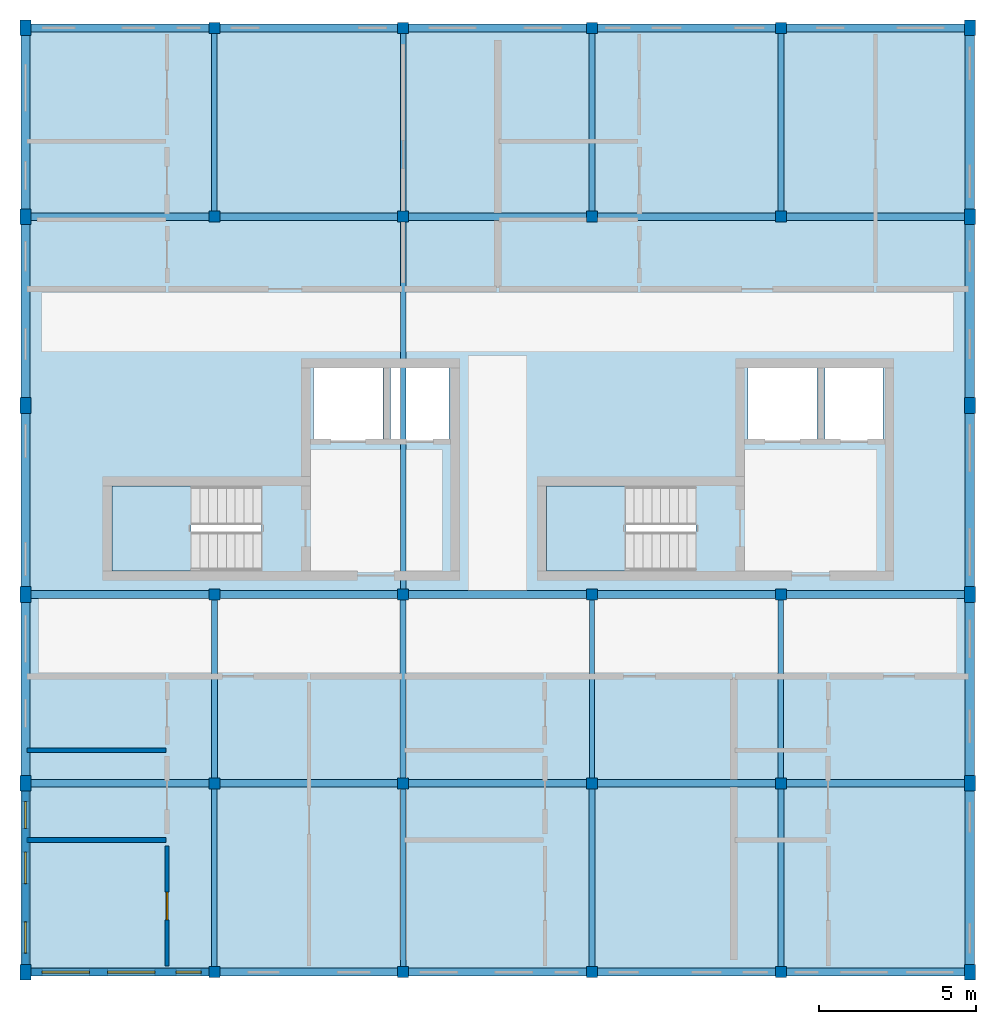
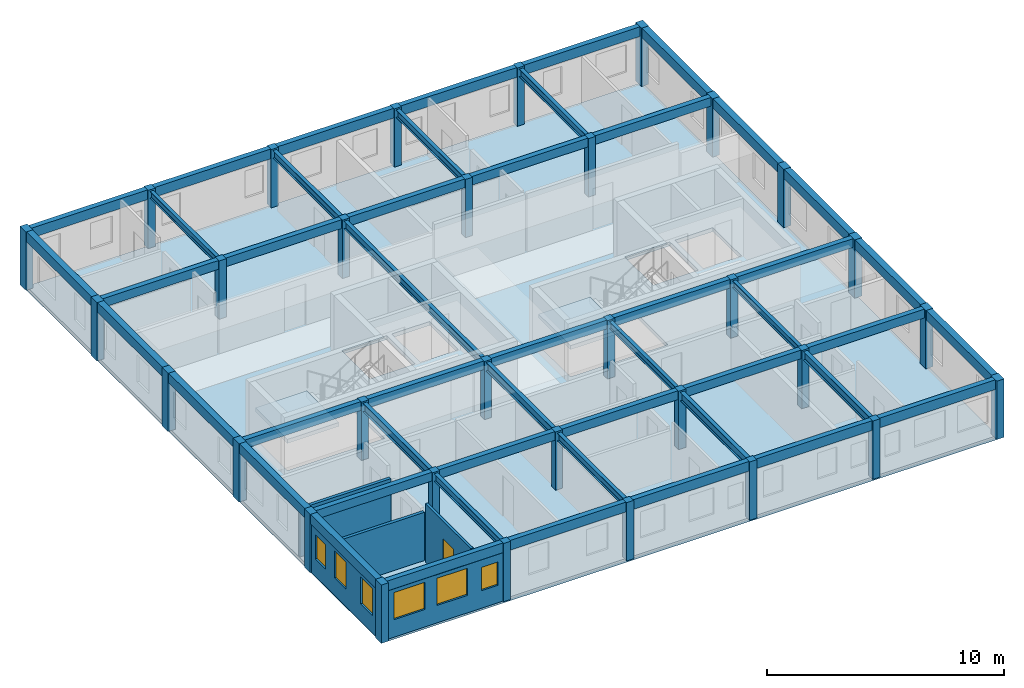
# One storey, part 1 of 7: 48 beams, 32 columns, 6 windows, 5 walls, 3 slabs, 1 door, 7 openings, 2 elements without a shape of their own.
"""IFC4 building model written with IfcOpenShell, lengths in metres."""

from ifc_helpers import new_model, si_unit, direction, frame, frame_2d, origin, origin_2d, place, context, subcontext, project, spatial, polyline, rectangle, i_section, outline, extrude, material, layer, layer_set, material_profile, profile_set, type_object, element, fill, aggregate, save


model = new_model("IFC4")

# Units and contexts
model_context = context("Model", 3, precision=1e-05, world=origin(), true_north=direction((0.0, 1.0)))
body_context = subcontext(model_context, "Body", "Model", "MODEL_VIEW")
ifc_project = project(units=[si_unit("LENGTHUNIT", "METRE"), si_unit("AREAUNIT", "SQUARE_METRE"), si_unit("VOLUMEUNIT", "CUBIC_METRE"), si_unit("PLANEANGLEUNIT", "RADIAN"), si_unit("MASSUNIT", "GRAM", prefix="KILO"), si_unit("POWERUNIT", "WATT"), si_unit("THERMODYNAMICTEMPERATUREUNIT", "KELVIN")], contexts=[model_context])

# Site, building, storey
site_placement = place(None, origin())
site = spatial("IfcSite", under=ifc_project, at=site_placement, CompositionType="ELEMENT")
building_placement = place(site_placement, origin())
building = spatial("IfcBuilding", under=site, at=building_placement, Name="Ruvembo Vaulted Housing Court", CompositionType="ELEMENT")
storey_placement = place(building_placement, frame((0.0, 0.0, 42.89990234375)))
storey = spatial("IfcBuildingStorey", under=building, at=storey_placement, Name="L13", CompositionType="ELEMENT", Elevation=42.89990234375)

# Columns
ifc_material_1 = material(Name="Concrete C35/45", Category="concrete")
ifc_material_profile_1 = material_profile(ifc_material_1, rectangle(XDim=0.35009765625, YDim=0.35009765625, at=origin_2d()), Name="RC 350x350")
ifc_profile_set_1 = profile_set([ifc_material_profile_1], Name="Concrete C35/45")
column_type_1 = type_object("IfcColumnType", Name="COL-RC-350", PredefinedType="COLUMN", material=ifc_profile_set_1)
for number, where, z_axis, x_axis, name in (
    (1, (6.0, 6.0, 0.0), (0.0, 0.0, 1.0), (1.0, 0.0, 0.0), "L13 Column (6,6)"),
    (2, (6.0, 12.0, 0.0), (0.0, 0.0, 1.0), (1.0, 0.0, 0.0), "L13 Column (6,12)"),
    (3, (6.0, 18.0, 0.0), (0.0, 0.0, 1.0), (1.0, 0.0, 0.0), "L13 Column (6,18)"),
    (4, (6.0, 30.0, 0.0), (0.0, 0.0, 1.0), (1.0, 0.0, 0.0), "L13 Column (6,30)"),
    (5, (6.0, 36.0, 0.0), (0.0, 0.0, 1.0), (1.0, 0.0, 0.0), "L13 Column (6,36)"),
    (6, (12.0, 6.0, 0.0), (0.0, 0.0, 1.0), (1.0, 0.0, 0.0), "L13 Column (12,6)"),
    (7, (12.0, 12.0, 0.0), (0.0, 0.0, 1.0), (1.0, 0.0, 0.0), "L13 Column (12,12)"),
    (8, (12.0, 18.0, 0.0), (0.0, 0.0, 1.0), (1.0, 0.0, 0.0), "L13 Column (12,18)"),
    (9, (12.0, 30.0, 0.0), (0.0, 0.0, 1.0), (1.0, 0.0, 0.0), "L13 Column (12,30)"),
    (10, (12.0, 36.0, 0.0), (0.0, 0.0, 1.0), (1.0, 0.0, 0.0), "L13 Column (12,36)"),
    (11, (18.0, 6.0, 0.0), (0.0, 0.0, 1.0), (1.0, 0.0, 0.0), "L13 Column (18,6)"),
    (12, (18.0, 12.0, 0.0), (0.0, 0.0, 1.0), (1.0, 0.0, 0.0), "L13 Column (18,12)"),
    (13, (18.0, 18.0, 0.0), (0.0, 0.0, 1.0), (1.0, 0.0, 0.0), "L13 Column (18,18)"),
    (14, (18.0, 30.0, 0.0), (0.0, 0.0, 1.0), (1.0, 0.0, 0.0), "L13 Column (18,30)"),
    (15, (18.0, 36.0, 0.0), (0.0, 0.0, 1.0), (1.0, 0.0, 0.0), "L13 Column (18,36)"),
    (16, (24.0, 6.0, 0.0), (0.0, 0.0, 1.0), (1.0, 0.0, 0.0), "L13 Column (24,6)"),
    (17, (24.0, 12.0, 0.0), (0.0, 0.0, 1.0), (1.0, 0.0, 0.0), "L13 Column (24,12)"),
    (18, (24.0, 18.0, 0.0), (0.0, 0.0, 1.0), (1.0, 0.0, 0.0), "L13 Column (24,18)"),
    (19, (24.0, 30.0, 0.0), (0.0, 0.0, 1.0), (1.0, 0.0, 0.0), "L13 Column (24,30)"),
    (20, (24.0, 36.0, 0.0), (0.0, 0.0, 1.0), (1.0, 0.0, 0.0), "L13 Column (24,36)"),
):
    element("IfcColumn", number, at=place(storey_placement, frame(where, z_axis=z_axis, x_axis=x_axis)), inside=storey, type_object=column_type_1, Name=name, PredefinedType="COLUMN", context=body_context, shape_type="SweptSolid", body=[
        extrude(rectangle(XDim=0.35009765625, YDim=0.35009765625, at=origin_2d()), origin(), (0.0, 0.0, 1.0), 3.005126953125),
    ])
ifc_material_profile_2 = material_profile(ifc_material_1, rectangle(XDim=0.35009765625, YDim=0.5, at=origin_2d()), Name="RC 350x500")
ifc_profile_set_2 = profile_set([ifc_material_profile_2], Name="Concrete C35/45")
column_type_2 = type_object("IfcColumnType", Name="COL-RC-350x500", PredefinedType="COLUMN", material=ifc_profile_set_2)
for number, where, z_axis, x_axis, name in (
    (21, (0.0, 6.0, 0.0), (0.0, 0.0, 1.0), (1.0, 0.0, 0.0), "L13 Column (0,6)"),
    (22, (0.0, 12.0, 0.0), (0.0, 0.0, 1.0), (1.0, 0.0, 0.0), "L13 Column (0,12)"),
    (23, (0.0, 18.0, 0.0), (0.0, 0.0, 1.0), (1.0, 0.0, 0.0), "L13 Column (0,18)"),
    (24, (0.0, 24.0, 0.0), (0.0, 0.0, 1.0), (1.0, 0.0, 0.0), "L13 Column (0,24)"),
    (25, (0.0, 30.0, 0.0), (0.0, 0.0, 1.0), (1.0, 0.0, 0.0), "L13 Column (0,30)"),
    (26, (0.0, 36.0, 0.0), (0.0, 0.0, 1.0), (1.0, 0.0, 0.0), "L13 Column (0,36)"),
    (27, (30.0, 6.0, 0.0), (0.0, 0.0, 1.0), (1.0, 0.0, 0.0), "L13 Column (30,6)"),
    (28, (30.0, 12.0, 0.0), (0.0, 0.0, 1.0), (1.0, 0.0, 0.0), "L13 Column (30,12)"),
    (29, (30.0, 18.0, 0.0), (0.0, 0.0, 1.0), (1.0, 0.0, 0.0), "L13 Column (30,18)"),
    (30, (30.0, 24.0, 0.0), (0.0, 0.0, 1.0), (1.0, 0.0, 0.0), "L13 Column (30,24)"),
    (31, (30.0, 30.0, 0.0), (0.0, 0.0, 1.0), (1.0, 0.0, 0.0), "L13 Column (30,30)"),
    (32, (30.0, 36.0, 0.0), (0.0, 0.0, 1.0), (1.0, 0.0, 0.0), "L13 Column (30,36)"),
):
    element("IfcColumn", number, at=place(storey_placement, frame(where, z_axis=z_axis, x_axis=x_axis)), inside=storey, type_object=column_type_2, Name=name, PredefinedType="COLUMN", context=body_context, shape_type="SweptSolid", body=[
        extrude(rectangle(XDim=0.35009765625, YDim=0.5, at=origin_2d()), origin(), (0.0, 0.0, 1.0), 3.005126953125),
    ])

# Beams
ifc_material_2 = material(Name="Concrete C30/37", Category="concrete")
ifc_material_profile_3 = material_profile(ifc_material_2, rectangle(XDim=0.25, YDim=0.449951171875, at=origin_2d()), Name="RC 250x450")
ifc_profile_set_3 = profile_set([ifc_material_profile_3], Name="Concrete C30/37")
beam_type_1 = type_object("IfcBeamType", Name="BM-RC-250x450", PredefinedType="BEAM", material=ifc_profile_set_3)
for number, where, z_axis, x_axis, name in (
    (33, (0.159912109375, 12.0, 2.780029296875), (1.0, 0.0, 0.0), (0.0, 1.0, 0.0), "L13 Grid Beam X #3438"),
    (34, (6.159912109375, 12.0, 2.780029296875), (1.0, 0.0, 0.0), (0.0, 1.0, 0.0), "L13 Grid Beam X #3439"),
    (35, (12.159912109375, 12.0, 2.780029296875), (1.0, 0.0, 0.0), (0.0, 1.0, 0.0), "L13 Grid Beam X #3440"),
    (36, (18.159912109375, 12.0, 2.780029296875), (1.0, 0.0, 0.0), (0.0, 1.0, 0.0), "L13 Grid Beam X #3441"),
    (37, (24.159912109375, 12.0, 2.780029296875), (1.0, 0.0, 0.0), (0.0, 1.0, 0.0), "L13 Grid Beam X #3442"),
    (38, (0.159912109375, 18.0, 2.780029296875), (1.0, 0.0, 0.0), (0.0, 1.0, 0.0), "L13 Grid Beam X #3443"),
    (39, (6.159912109375, 18.0, 2.780029296875), (1.0, 0.0, 0.0), (0.0, 1.0, 0.0), "L13 Grid Beam X #3444"),
    (40, (12.159912109375, 18.0, 2.780029296875), (1.0, 0.0, 0.0), (0.0, 1.0, 0.0), "L13 Grid Beam X #3445"),
    (41, (18.159912109375, 18.0, 2.780029296875), (1.0, 0.0, 0.0), (0.0, 1.0, 0.0), "L13 Grid Beam X #3446"),
    (42, (24.159912109375, 18.0, 2.780029296875), (1.0, 0.0, 0.0), (0.0, 1.0, 0.0), "L13 Grid Beam X #3447"),
    (43, (0.159912109375, 30.0, 2.780029296875), (1.0, 0.0, 0.0), (0.0, 1.0, 0.0), "L13 Grid Beam X #3448"),
    (44, (6.159912109375, 30.0, 2.780029296875), (1.0, 0.0, 0.0), (0.0, 1.0, 0.0), "L13 Grid Beam X #3449"),
    (45, (12.159912109375, 30.0, 2.780029296875), (1.0, 0.0, 0.0), (0.0, 1.0, 0.0), "L13 Grid Beam X #3450"),
    (46, (18.159912109375, 30.0, 2.780029296875), (1.0, 0.0, 0.0), (0.0, 1.0, 0.0), "L13 Grid Beam X #3451"),
    (47, (24.159912109375, 30.0, 2.780029296875), (1.0, 0.0, 0.0), (0.0, 1.0, 0.0), "L13 Grid Beam X #3452"),
):
    element("IfcBeam", number, at=place(storey_placement, frame(where, z_axis=z_axis, x_axis=x_axis)), inside=storey, type_object=beam_type_1, Name=name, PredefinedType="BEAM", context=body_context, shape_type="SweptSolid", body=[
        extrude(rectangle(XDim=0.25, YDim=0.449951171875, at=origin_2d()), origin(), (0.0, 0.0, 1.0), 5.68017578125),
    ])
ifc_material_profile_4 = material_profile(ifc_material_2, rectangle(XDim=0.25, YDim=0.5, at=origin_2d()), Name="RC 250x500")
ifc_profile_set_4 = profile_set([ifc_material_profile_4], Name="Concrete C30/37")
beam_type_2 = type_object("IfcBeamType", Name="BM-RC-250x500", PredefinedType="BEAM", material=ifc_profile_set_4)
for number, where, z_axis, x_axis, name in (
    (48, (0.159912109375, 6.0, 2.755126953125), (1.0, 0.0, 0.0), (0.0, 1.0, 0.0), "L13 Grid Beam X #3433"),
    (49, (6.159912109375, 6.0, 2.755126953125), (1.0, 0.0, 0.0), (0.0, 1.0, 0.0), "L13 Grid Beam X #3434"),
    (50, (12.159912109375, 6.0, 2.755126953125), (1.0, 0.0, 0.0), (0.0, 1.0, 0.0), "L13 Grid Beam X #3435"),
    (51, (18.159912109375, 6.0, 2.755126953125), (1.0, 0.0, 0.0), (0.0, 1.0, 0.0), "L13 Grid Beam X #3436"),
    (52, (24.159912109375, 6.0, 2.755126953125), (1.0, 0.0, 0.0), (0.0, 1.0, 0.0), "L13 Grid Beam X #3437"),
    (53, (0.159912109375, 36.0, 2.755126953125), (1.0, 0.0, 0.0), (0.0, 1.0, 0.0), "L13 Grid Beam X #3453"),
    (54, (6.159912109375, 36.0, 2.755126953125), (1.0, 0.0, 0.0), (0.0, 1.0, 0.0), "L13 Grid Beam X #3454"),
    (55, (12.159912109375, 36.0, 2.755126953125), (1.0, 0.0, 0.0), (0.0, 1.0, 0.0), "L13 Grid Beam X #3455"),
    (56, (18.159912109375, 36.0, 2.755126953125), (1.0, 0.0, 0.0), (0.0, 1.0, 0.0), "L13 Grid Beam X #3456"),
    (57, (24.159912109375, 36.0, 2.755126953125), (1.0, 0.0, 0.0), (0.0, 1.0, 0.0), "L13 Grid Beam X #3457"),
):
    element("IfcBeam", number, at=place(storey_placement, frame(where, z_axis=z_axis, x_axis=x_axis)), inside=storey, type_object=beam_type_2, Name=name, PredefinedType="BEAM", context=body_context, shape_type="SweptSolid", body=[
        extrude(rectangle(XDim=0.25, YDim=0.5, at=origin_2d()), origin(), (0.0, 0.0, 1.0), 5.68017578125),
    ])
ifc_material_3 = material(Name="Steel S355J2", Category="steel")
ifc_material_profile_5 = material_profile(ifc_material_3, i_section(OverallWidth=0.169921875, OverallDepth=0.360107421875, WebThickness=0.008056640625, FlangeThickness=0.0126953125, FilletRadius=0.01806640625, at=origin_2d()), Name="IPE 360")
ifc_profile_set_5 = profile_set([ifc_material_profile_5], Name="Steel S355J2")
beam_type_3 = type_object("IfcBeamType", Name="BM-ST-IPE360", PredefinedType="BEAM", material=ifc_profile_set_5)
for number, where, z_axis, x_axis, name in (
    (58, (6.0, 30.159912109375, 2.74609375), (0.0, 1.0, 0.0), (-1.0, 0.0, 0.0), "L13 Grid Beam Y #3465"),
    (59, (18.0, 12.159912109375, 2.74609375), (0.0, 1.0, 0.0), (-1.0, 0.0, 0.0), "L13 Grid Beam Y #3471"),
    (60, (24.0, 12.159912109375, 2.74609375), (0.0, 1.0, 0.0), (-1.0, 0.0, 0.0), "L13 Grid Beam Y #3474"),
):
    element("IfcBeam", number, at=place(storey_placement, frame(where, z_axis=z_axis, x_axis=x_axis)), inside=storey, type_object=beam_type_3, Name=name, PredefinedType="BEAM", context=body_context, shape_type="SweptSolid", body=[
        extrude(i_section(OverallWidth=0.169921875, OverallDepth=0.360107421875, WebThickness=0.008056640625, FlangeThickness=0.0126953125, FilletRadius=0.01806640625, at=origin_2d()), origin(), (0.0, 0.0, 1.0), 5.68017578125),
    ])
ifc_material_profile_6 = material_profile(ifc_material_3, i_section(OverallWidth=0.179931640625, OverallDepth=0.39990234375, WebThickness=0.008544921875, FlangeThickness=0.013427734375, FilletRadius=0.02099609375, at=origin_2d()), Name="IPE 400")
ifc_profile_set_6 = profile_set([ifc_material_profile_6], Name="Steel S355J2")
beam_type_4 = type_object("IfcBeamType", Name="BM-ST-IPE400", PredefinedType="BEAM", material=ifc_profile_set_6)
for number, where, z_axis, x_axis, name in (
    (61, (6.0, 6.159912109375, 2.72607421875), (0.0, 1.0, 0.0), (-1.0, 0.0, 0.0), "L13 Grid Beam Y #3463"),
    (62, (12.0, 6.159912109375, 2.72607421875), (0.0, 1.0, 0.0), (-1.0, 0.0, 0.0), "L13 Grid Beam Y #3466"),
):
    element("IfcBeam", number, at=place(storey_placement, frame(where, z_axis=z_axis, x_axis=x_axis)), inside=storey, type_object=beam_type_4, Name=name, PredefinedType="BEAM", context=body_context, shape_type="SweptSolid", body=[
        extrude(i_section(OverallWidth=0.179931640625, OverallDepth=0.39990234375, WebThickness=0.008544921875, FlangeThickness=0.013427734375, FilletRadius=0.02099609375, at=origin_2d()), origin(), (0.0, 0.0, 1.0), 5.68017578125),
    ])
beam_placement = place(storey_placement, frame((12.0, 18.159912109375, 2.72607421875), z_axis=(0.0, 1.0, 0.0), x_axis=(-1.0, 0.0, 0.0)))
element("IfcBeam", 63, at=beam_placement, inside=storey, type_object=beam_type_4, Name="L13 Grid Beam Y #3468", PredefinedType="BEAM", context=body_context, shape_type="SweptSolid", body=[
    extrude(i_section(OverallWidth=0.179931640625, OverallDepth=0.39990234375, WebThickness=0.008544921875, FlangeThickness=0.013427734375, FilletRadius=0.02099609375, at=origin_2d()), origin(), (0.0, 0.0, 1.0), 11.68017578125),
])
for number, where, z_axis, x_axis, name in (
    (64, (12.0, 30.159912109375, 2.72607421875), (0.0, 1.0, 0.0), (-1.0, 0.0, 0.0), "L13 Grid Beam Y #3469"),
    (65, (18.0, 30.159912109375, 2.72607421875), (0.0, 1.0, 0.0), (-1.0, 0.0, 0.0), "L13 Grid Beam Y #3472"),
    (66, (24.0, 30.159912109375, 2.72607421875), (0.0, 1.0, 0.0), (-1.0, 0.0, 0.0), "L13 Grid Beam Y #3475"),
):
    element("IfcBeam", number, at=place(storey_placement, frame(where, z_axis=z_axis, x_axis=x_axis)), inside=storey, type_object=beam_type_4, Name=name, PredefinedType="BEAM", context=body_context, shape_type="SweptSolid", body=[
        extrude(i_section(OverallWidth=0.179931640625, OverallDepth=0.39990234375, WebThickness=0.008544921875, FlangeThickness=0.013427734375, FilletRadius=0.02099609375, at=origin_2d()), origin(), (0.0, 0.0, 1.0), 5.68017578125),
    ])
ifc_material_profile_7 = material_profile(ifc_material_3, i_section(OverallWidth=0.18994140625, OverallDepth=0.449951171875, WebThickness=0.009521484375, FlangeThickness=0.0146484375, FilletRadius=0.02099609375, at=origin_2d()), Name="IPE 450")
ifc_profile_set_7 = profile_set([ifc_material_profile_7], Name="Steel S355J2")
beam_type_5 = type_object("IfcBeamType", Name="BM-ST-IPE450", PredefinedType="BEAM", material=ifc_profile_set_7)
for number, where, z_axis, x_axis, name in (
    (67, (6.0, 12.159912109375, 2.701171875), (0.0, 1.0, 0.0), (-1.0, 0.0, 0.0), "L13 Grid Beam Y #3464"),
    (68, (12.0, 12.159912109375, 2.701171875), (0.0, 1.0, 0.0), (-1.0, 0.0, 0.0), "L13 Grid Beam Y #3467"),
    (69, (18.0, 6.159912109375, 2.701171875), (0.0, 1.0, 0.0), (-1.0, 0.0, 0.0), "L13 Grid Beam Y #3470"),
    (70, (24.0, 6.159912109375, 2.701171875), (0.0, 1.0, 0.0), (-1.0, 0.0, 0.0), "L13 Grid Beam Y #3473"),
):
    element("IfcBeam", number, at=place(storey_placement, frame(where, z_axis=z_axis, x_axis=x_axis)), inside=storey, type_object=beam_type_5, Name=name, PredefinedType="BEAM", context=body_context, shape_type="SweptSolid", body=[
        extrude(i_section(OverallWidth=0.18994140625, OverallDepth=0.449951171875, WebThickness=0.009521484375, FlangeThickness=0.0146484375, FilletRadius=0.02099609375, at=origin_2d()), origin(), (0.0, 0.0, 1.0), 5.68017578125),
    ])
ifc_material_profile_8 = material_profile(ifc_material_1, rectangle(XDim=0.300048828125, YDim=0.5, at=origin_2d()), Name="RC 300x500")
ifc_profile_set_8 = profile_set([ifc_material_profile_8], Name="Concrete C35/45")
beam_type_6 = type_object("IfcBeamType", Name="SP-RC-300x500", PredefinedType="SPANDREL", material=ifc_profile_set_8)
for number, where, z_axis, x_axis, name in (
    (71, (0.0, 6.235107421875, 2.755126953125), (0.0, 1.0, 0.0), (-1.0, 0.0, 0.0), "L13 Grid Beam Y #3458"),
    (72, (0.0, 12.235107421875, 2.755126953125), (0.0, 1.0, 0.0), (-1.0, 0.0, 0.0), "L13 Grid Beam Y #3459"),
    (73, (0.0, 18.235107421875, 2.755126953125), (0.0, 1.0, 0.0), (-1.0, 0.0, 0.0), "L13 Grid Beam Y #3460"),
    (74, (0.0, 24.235107421875, 2.755126953125), (0.0, 1.0, 0.0), (-1.0, 0.0, 0.0), "L13 Grid Beam Y #3461"),
    (75, (0.0, 30.235107421875, 2.755126953125), (0.0, 1.0, 0.0), (-1.0, 0.0, 0.0), "L13 Grid Beam Y #3462"),
    (76, (30.0, 6.235107421875, 2.755126953125), (0.0, 1.0, 0.0), (-1.0, 0.0, 0.0), "L13 Grid Beam Y #3476"),
    (77, (30.0, 12.235107421875, 2.755126953125), (0.0, 1.0, 0.0), (-1.0, 0.0, 0.0), "L13 Grid Beam Y #3477"),
    (78, (30.0, 18.235107421875, 2.755126953125), (0.0, 1.0, 0.0), (-1.0, 0.0, 0.0), "L13 Grid Beam Y #3478"),
    (79, (30.0, 24.235107421875, 2.755126953125), (0.0, 1.0, 0.0), (-1.0, 0.0, 0.0), "L13 Grid Beam Y #3479"),
    (80, (30.0, 30.235107421875, 2.755126953125), (0.0, 1.0, 0.0), (-1.0, 0.0, 0.0), "L13 Grid Beam Y #3480"),
):
    element("IfcBeam", number, at=place(storey_placement, frame(where, z_axis=z_axis, x_axis=x_axis)), inside=storey, type_object=beam_type_6, Name=name, PredefinedType="SPANDREL", context=body_context, shape_type="SweptSolid", body=[
        extrude(rectangle(XDim=0.300048828125, YDim=0.5, at=origin_2d()), origin(), (0.0, 0.0, 1.0), 5.52978515625),
    ])

# Slab
ifc_layer_1 = layer(ifc_material_2, 0.199951171875, Name="Concrete C30/37")
ifc_layer_set_1 = layer_set([ifc_layer_1], Name="Concrete C30/37")
slab_type_1 = type_object("IfcSlabType", Name="SL-FLR-200", PredefinedType="FLOOR", material=ifc_layer_set_1)
slab_1_placement = place(storey_placement, frame((0.0, 0.0, -0.199951171875)))
element("IfcSlab", 81, at=slab_1_placement, inside=storey, type_object=slab_type_1, Name="Block A L13 Structural Floor Slab", PredefinedType="FLOOR", context=body_context, shape_type="SweptSolid", body=[
    extrude(outline(polyline([(30.0, 6.0), (30.0, 36.0), (0.0, 36.0), (0.0, 6.0), (30.0, 6.0)]), holes=[polyline([(7.5, 21.449951171875), (2.75, 21.449951171875), (2.75, 18.75), (7.5, 18.75), (7.5, 21.449951171875)]), polyline([(9.14990234375, 22.85009765625), (11.35009765625, 22.85009765625), (11.35009765625, 25.25), (9.14990234375, 25.25), (9.14990234375, 22.85009765625)]), polyline([(11.60009765625, 22.85009765625), (13.449951171875, 22.85009765625), (13.449951171875, 25.25), (11.60009765625, 25.25), (11.60009765625, 22.85009765625)]), polyline([(21.300048828125, 21.449951171875), (16.550048828125, 21.449951171875), (16.550048828125, 18.75), (21.300048828125, 18.75), (21.300048828125, 21.449951171875)]), polyline([(22.949951171875, 22.85009765625), (25.14990234375, 22.85009765625), (25.14990234375, 25.25), (22.949951171875, 25.25), (22.949951171875, 22.85009765625)]), polyline([(25.39990234375, 22.85009765625), (27.25, 22.85009765625), (27.25, 25.25), (25.39990234375, 25.25), (25.39990234375, 22.85009765625)])]), origin(), (0.0, 0.0, 1.0), 0.199951171875),
])

# Stair, slab
stair_type = type_object("IfcStairType", Name="STR-CORE-1250", PredefinedType="HALF_TURN_STAIR", material=ifc_material_1)
stair_1_placement = place(storey_placement, origin())
stair_1 = element("IfcStair", 82, at=stair_1_placement, inside=storey, type_object=stair_type, Name="L13 Protected Exit Stair ST-A1", PredefinedType="HALF_TURN_STAIR")
ifc_layer_2 = layer(ifc_material_2, 0.201904296875, Name="Concrete C30/37")
ifc_layer_set_2 = layer_set([ifc_layer_2], Name="Concrete C30/37")
slab_type_2 = type_object("IfcSlabType", Name="SL-LAND-202", PredefinedType="LANDING", material=ifc_layer_set_2)
slab_2_placement = place(storey_placement, frame((0.0, 0.0, 1.400146484375)))
slab_2 = element("IfcSlab", 83, at=slab_2_placement, type_object=slab_type_2, Name="ST-A1 landing 1", PredefinedType="LANDING", context=body_context, shape_type="SweptSolid", body=[
    extrude(outline(polyline([(5.260009765625, 21.449951171875), (2.75, 21.449951171875), (2.75, 18.75), (5.260009765625, 18.75), (5.260009765625, 21.449951171875)])), origin(), (0.0, 0.0, 1.0), 0.199951171875),
])
aggregate(stair_1, [slab_2])

stair_2_placement = place(storey_placement, origin())
stair_2 = element("IfcStair", 84, at=stair_2_placement, inside=storey, type_object=stair_type, Name="L13 Protected Exit Stair ST-A2", PredefinedType="HALF_TURN_STAIR")
slab_3_placement = place(storey_placement, frame((0.0, 0.0, 1.400146484375)))
slab_3 = element("IfcSlab", 85, at=slab_3_placement, type_object=slab_type_2, Name="ST-A2 landing 1", PredefinedType="LANDING", context=body_context, shape_type="SweptSolid", body=[
    extrude(outline(polyline([(19.06005859375, 21.449951171875), (16.550048828125, 21.449951171875), (16.550048828125, 18.75), (19.06005859375, 18.75), (19.06005859375, 21.449951171875)])), origin(), (0.0, 0.0, 1.0), 0.199951171875),
])
aggregate(stair_2, [slab_3])

# Wall, openings, windows
ifc_material_4 = material(Name="Rendered Masonry 235", Category="masonry")
ifc_layer_3 = layer(ifc_material_4, 0.235107421875, Name="Rendered Masonry 235")
ifc_layer_set_3 = layer_set([ifc_layer_3], Name="Rendered Masonry 235")
wall_type_1 = type_object("IfcWallType", Name="WL-EXT-235", PredefinedType="STANDARD", material=ifc_layer_set_3)
wall_1_placement = place(storey_placement, frame((0.175048828125, 6.0, 0.0), z_axis=(0.0, 0.0, 1.0), x_axis=(1.0, 0.0, 0.0)))
wall_1 = element("IfcWall", 86, at=wall_1_placement, inside=storey, type_object=wall_type_1, Name="Block A L13 Exterior Wall STREET #1", PredefinedType="STANDARD", context=body_context, shape_type="SweptSolid", body=[
    extrude(rectangle(XDim=5.64990234375, YDim=0.235107421875, at=frame_2d((2.824951171875, 0.0))), origin(), (0.0, 0.0, 1.0), 2.487060546875),
])
opening_1_placement = place(wall_1_placement, frame((0.35009765625, 0.0, 0.89990234375)))
opening_1 = element("IfcOpeningElement", 87, at=opening_1_placement, cuts=wall_1, Name="Opening W18", PredefinedType="OPENING", context=body_context, shape_type="SweptSolid", body=[
    extrude(rectangle(XDim=1.5, YDim=1.39990234375, at=frame_2d((0.75, 0.699951171875))), frame((0.0, 0.12744140625, 0.0), z_axis=(0.0, -1.0, 0.0), x_axis=(1.0, 0.0, 0.0)), (0.0, 0.0, 1.0), 0.255126953125),
])
opening_2_placement = place(wall_1_placement, frame((2.43505859375, 0.0, 0.89990234375)))
opening_2 = element("IfcOpeningElement", 88, at=opening_2_placement, cuts=wall_1, Name="Opening W18", PredefinedType="OPENING", context=body_context, shape_type="SweptSolid", body=[
    extrude(rectangle(XDim=1.5, YDim=1.39990234375, at=frame_2d((0.75, 0.699951171875))), frame((0.0, 0.12744140625, 0.0), z_axis=(0.0, -1.0, 0.0), x_axis=(1.0, 0.0, 0.0)), (0.0, 0.0, 1.0), 0.255126953125),
])
opening_3_placement = place(wall_1_placement, frame((4.607421875, 0.0, 0.89990234375)))
opening_3 = element("IfcOpeningElement", 89, at=opening_3_placement, cuts=wall_1, Name="Opening W02", PredefinedType="OPENING", context=body_context, shape_type="SweptSolid", body=[
    extrude(rectangle(XDim=0.800048828125, YDim=1.199951171875, at=frame_2d((0.39990234375, 0.60009765625))), frame((0.0, 0.12744140625, 0.0), z_axis=(0.0, -1.0, 0.0), x_axis=(1.0, 0.0, 0.0)), (0.0, 0.0, 1.0), 0.255126953125),
])
ifc_material_5 = material(Name="Double Solar-Control Glazing in Aluminium Frame", Category="aluminium")
window_type_1 = type_object("IfcWindowType", Name="WIN-0800x1200", PartitioningType="SINGLE_PANEL", PredefinedType="WINDOW", material=ifc_material_5)
window_1_placement = place(opening_3_placement, origin())
window_1 = element("IfcWindow", 90, at=window_1_placement, inside=storey, type_object=window_type_1, Name="Block A L13 Window #559", OverallHeight=1.199951171875, OverallWidth=0.800048828125, PartitioningType="SINGLE_PANEL", PredefinedType="WINDOW", context=body_context, shape_type="SweptSolid", body=[
    extrude(rectangle(XDim=0.800048828125, YDim=1.199951171875, at=frame_2d((0.39990234375, 0.60009765625))), frame((0.0, 0.030029296875, 0.0), z_axis=(0.0, -1.0, 0.0), x_axis=(1.0, 0.0, 0.0)), (0.0, 0.0, 1.0), 0.06005859375),
])
fill(opening_3, window_1)
window_type_2 = type_object("IfcWindowType", Name="WIN-1500x1400", PartitioningType="SINGLE_PANEL", PredefinedType="WINDOW", material=ifc_material_5)
window_2_placement = place(opening_1_placement, origin())
window_2 = element("IfcWindow", 91, at=window_2_placement, inside=storey, type_object=window_type_2, Name="Block A L13 Window #557", OverallHeight=1.39990234375, OverallWidth=1.5, PartitioningType="SINGLE_PANEL", PredefinedType="WINDOW", context=body_context, shape_type="SweptSolid", body=[
    extrude(rectangle(XDim=1.5, YDim=1.39990234375, at=frame_2d((0.75, 0.699951171875))), frame((0.0, 0.030029296875, 0.0), z_axis=(0.0, -1.0, 0.0), x_axis=(1.0, 0.0, 0.0)), (0.0, 0.0, 1.0), 0.06005859375),
])
fill(opening_1, window_2)
window_3_placement = place(opening_2_placement, origin())
window_3 = element("IfcWindow", 92, at=window_3_placement, inside=storey, type_object=window_type_2, Name="Block A L13 Window #558", OverallHeight=1.39990234375, OverallWidth=1.5, PartitioningType="SINGLE_PANEL", PredefinedType="WINDOW", context=body_context, shape_type="SweptSolid", body=[
    extrude(rectangle(XDim=1.5, YDim=1.39990234375, at=frame_2d((0.75, 0.699951171875))), frame((0.0, 0.030029296875, 0.0), z_axis=(0.0, -1.0, 0.0), x_axis=(1.0, 0.0, 0.0)), (0.0, 0.0, 1.0), 0.06005859375),
])
fill(opening_2, window_3)

wall_2_placement = place(storey_placement, frame((0.0, 11.75, 0.0), z_axis=(0.0, 0.0, 1.0), x_axis=(0.0, -1.0, 0.0)))
wall_2 = element("IfcWall", 93, at=wall_2_placement, inside=storey, type_object=wall_type_1, Name="Block A L13 Exterior Wall WEST #5", PredefinedType="STANDARD", context=body_context, shape_type="SweptSolid", body=[
    extrude(rectangle(XDim=5.5, YDim=0.235107421875, at=frame_2d((2.75, 0.0))), origin(), (0.0, 0.0, 1.0), 2.487060546875),
])
opening_4_placement = place(wall_2_placement, frame((0.330078125, 0.0, 0.89990234375)))
opening_4 = element("IfcOpeningElement", 94, at=opening_4_placement, cuts=wall_2, Name="Opening W03", PredefinedType="OPENING", context=body_context, shape_type="SweptSolid", body=[
    extrude(rectangle(XDim=0.85009765625, YDim=1.25, at=frame_2d((0.425048828125, 0.625))), frame((0.0, 0.12744140625, 0.0), z_axis=(0.0, -1.0, 0.0), x_axis=(1.0, 0.0, 0.0)), (0.0, 0.0, 1.0), 0.255126953125),
])
opening_5_placement = place(wall_2_placement, frame((1.93994140625, 0.0, 0.89990234375)))
opening_5 = element("IfcOpeningElement", 95, at=opening_5_placement, cuts=wall_2, Name="Opening W08", PredefinedType="OPENING", context=body_context, shape_type="SweptSolid", body=[
    extrude(rectangle(XDim=1.0, YDim=1.39990234375, at=frame_2d((0.5, 0.699951171875))), frame((0.0, 0.12744140625, 0.0), z_axis=(0.0, -1.0, 0.0), x_axis=(1.0, 0.0, 0.0)), (0.0, 0.0, 1.0), 0.255126953125),
])
opening_6_placement = place(wall_2_placement, frame((4.14990234375, 0.0, 0.89990234375)))
opening_6 = element("IfcOpeningElement", 96, at=opening_6_placement, cuts=wall_2, Name="Opening W08", PredefinedType="OPENING", context=body_context, shape_type="SweptSolid", body=[
    extrude(rectangle(XDim=1.0, YDim=1.39990234375, at=frame_2d((0.5, 0.699951171875))), frame((0.0, 0.12744140625, 0.0), z_axis=(0.0, -1.0, 0.0), x_axis=(1.0, 0.0, 0.0)), (0.0, 0.0, 1.0), 0.255126953125),
])
window_type_3 = type_object("IfcWindowType", Name="WIN-0850x1250", PartitioningType="SINGLE_PANEL", PredefinedType="WINDOW", material=ifc_material_5)
window_4_placement = place(opening_4_placement, origin())
window_4 = element("IfcWindow", 97, at=window_4_placement, inside=storey, type_object=window_type_3, Name="Block A L13 Window #601", OverallHeight=1.25, OverallWidth=0.85009765625, PartitioningType="SINGLE_PANEL", PredefinedType="WINDOW", context=body_context, shape_type="SweptSolid", body=[
    extrude(rectangle(XDim=0.85009765625, YDim=1.25, at=frame_2d((0.425048828125, 0.625))), frame((0.0, 0.030029296875, 0.0), z_axis=(0.0, -1.0, 0.0), x_axis=(1.0, 0.0, 0.0)), (0.0, 0.0, 1.0), 0.06005859375),
])
fill(opening_4, window_4)
window_type_4 = type_object("IfcWindowType", Name="WIN-1000x1400", PartitioningType="SINGLE_PANEL", PredefinedType="WINDOW", material=ifc_material_5)
window_5_placement = place(opening_5_placement, origin())
window_5 = element("IfcWindow", 98, at=window_5_placement, inside=storey, type_object=window_type_4, Name="Block A L13 Window #602", OverallHeight=1.39990234375, OverallWidth=1.0, PartitioningType="SINGLE_PANEL", PredefinedType="WINDOW", context=body_context, shape_type="SweptSolid", body=[
    extrude(rectangle(XDim=1.0, YDim=1.39990234375, at=frame_2d((0.5, 0.699951171875))), frame((0.0, 0.030029296875, 0.0), z_axis=(0.0, -1.0, 0.0), x_axis=(1.0, 0.0, 0.0)), (0.0, 0.0, 1.0), 0.06005859375),
])
fill(opening_5, window_5)
window_6_placement = place(opening_6_placement, origin())
window_6 = element("IfcWindow", 99, at=window_6_placement, inside=storey, type_object=window_type_4, Name="Block A L13 Window #603", OverallHeight=1.39990234375, OverallWidth=1.0, PartitioningType="SINGLE_PANEL", PredefinedType="WINDOW", context=body_context, shape_type="SweptSolid", body=[
    extrude(rectangle(XDim=1.0, YDim=1.39990234375, at=frame_2d((0.5, 0.699951171875))), frame((0.0, 0.030029296875, 0.0), z_axis=(0.0, -1.0, 0.0), x_axis=(1.0, 0.0, 0.0)), (0.0, 0.0, 1.0), 0.06005859375),
])
fill(opening_6, window_6)

# Wall, opening, door
ifc_material_6 = material(Name="Plasterboard Stud Partition 125", Category="gypsum")
ifc_layer_4 = layer(ifc_material_6, 0.125, Name="Plasterboard Stud Partition 125")
ifc_layer_set_4 = layer_set([ifc_layer_4], Name="Plasterboard Stud Partition 125")
wall_type_2 = type_object("IfcWallType", Name="WL-PART-125", PredefinedType="PARTITIONING", material=ifc_layer_set_4)
wall_3_placement = place(storey_placement, frame((4.5, 6.18994140625, 0.0), z_axis=(0.0, 0.0, 1.0), x_axis=(0.0, 1.0, 0.0)))
wall_3 = element("IfcWall", 100, at=wall_3_placement, inside=storey, type_object=wall_type_2, Name="L13 Flat A-L13-S1 Bedroom 1 WL-INT-L13-02353", PredefinedType="PARTITIONING", context=body_context, shape_type="SweptSolid", body=[
    extrude(rectangle(XDim=3.820068359375, YDim=0.125, at=frame_2d((1.91015625, 0.0))), origin(), (0.0, 0.0, 1.0), 3.005126953125),
])
opening_7_placement = place(wall_3_placement, frame((1.469970703125, 0.0, 0.0)))
opening_7 = element("IfcOpeningElement", 101, at=opening_7_placement, cuts=wall_3, Name="Opening ID3", PredefinedType="OPENING", context=body_context, shape_type="SweptSolid", body=[
    extrude(rectangle(XDim=0.8798828125, YDim=2.10009765625, at=frame_2d((0.43994140625, 1.050048828125))), frame((0.0, 0.072509765625, 0.0), z_axis=(0.0, -1.0, 0.0), x_axis=(1.0, 0.0, 0.0)), (0.0, 0.0, 1.0), 0.14501953125),
])
ifc_material_7 = material(Name="FSC Hardwood and Engineered Timber", Category="wood")
door_type = type_object("IfcDoorType", Name="DR-ROOM-0880x2100", OperationType="NOTDEFINED", PredefinedType="DOOR", material=ifc_material_7)
door_placement = place(opening_7_placement, origin())
door = element("IfcDoor", 102, at=door_placement, inside=storey, type_object=door_type, Name="L13 Flat A-L13-S1 Bedroom 1 Door DR-INT-L13-01301", OperationType="SINGLE_SWING_LEFT", OverallHeight=2.10009765625, OverallWidth=0.8798828125, PredefinedType="DOOR", context=body_context, shape_type="SweptSolid", body=[
    extrude(rectangle(XDim=0.8798828125, YDim=2.10009765625, at=frame_2d((0.43994140625, 1.050048828125))), frame((0.0, 0.02490234375, 0.0), z_axis=(0.0, -1.0, 0.0), x_axis=(1.0, 0.0, 0.0)), (0.0, 0.0, 1.0), 0.050048828125),
])
fill(opening_7, door)

# Walls
ifc_material_8 = material(Name="Moisture-Resistant Wet Partition 150", Category="gypsum")
ifc_layer_5 = layer(ifc_material_8, 0.14990234375, Name="Moisture-Resistant Wet Partition 150")
ifc_layer_set_5 = layer_set([ifc_layer_5], Name="Moisture-Resistant Wet Partition 150")
wall_type_3 = type_object("IfcWallType", Name="WL-PART-150", PredefinedType="PARTITIONING", material=ifc_layer_set_5)
for number, where, z_axis, x_axis, name in (
    (103, (0.0400390625, 10.199951171875, 0.0), (0.0, 0.0, 1.0), (1.0, 0.0, 0.0), "L13 Flat A-L13-S1 Wet Wall 1 WL-INT-L13-02356"),
    (104, (0.0400390625, 13.050048828125, 0.0), (0.0, 0.0, 1.0), (1.0, 0.0, 0.0), "L13 Flat A-L13-S1 Wet Wall 2 WL-INT-L13-02357"),
):
    element("IfcWall", number, at=place(storey_placement, frame(where, z_axis=z_axis, x_axis=x_axis)), inside=storey, type_object=wall_type_3, Name=name, PredefinedType="PARTITIONING", context=body_context, shape_type="SweptSolid", body=[
        extrude(rectangle(XDim=4.419921875, YDim=0.14990234375, at=frame_2d((2.2099609375, 0.0))), origin(), (0.0, 0.0, 1.0), 2.487060546875),
    ])

save(model, "model.ifc")
